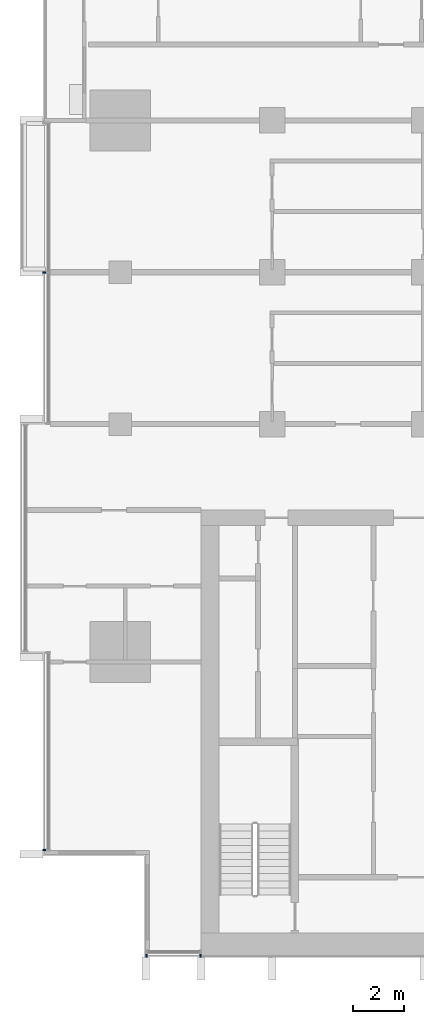
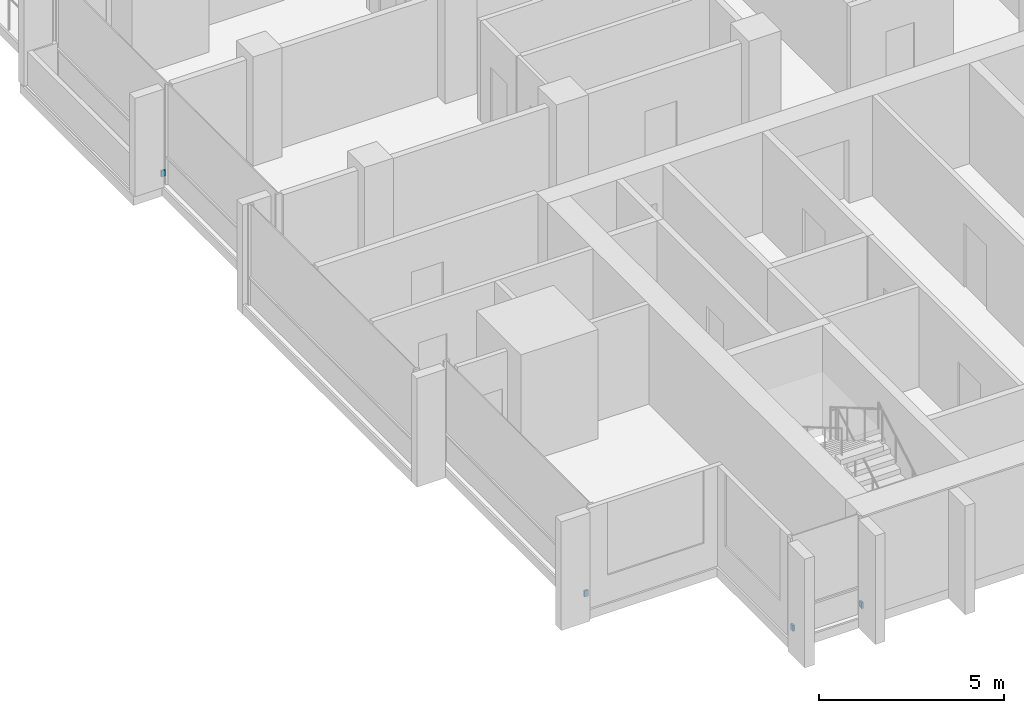
# One storey, part 13 of 17: 4 discrete accessories.
"""IFC4 building model written with IfcOpenShell, lengths in metres."""

from ifc_helpers import new_model, si_unit, direction, frame, origin, origin_2d, place, context, subcontext, project, spatial, rectangle, extrude, material, type_object, element, save


model = new_model("IFC4")

# Units and contexts
model_context = context("Model", 3, precision=1e-05, world=origin(), true_north=direction((0.0, 1.0)))
body_context = subcontext(model_context, "Body", "Model", "MODEL_VIEW")
ifc_project = project(units=[si_unit("LENGTHUNIT", "METRE"), si_unit("AREAUNIT", "SQUARE_METRE"), si_unit("VOLUMEUNIT", "CUBIC_METRE"), si_unit("PLANEANGLEUNIT", "RADIAN"), si_unit("MASSUNIT", "GRAM", prefix="KILO")], contexts=[model_context])

# Site, building, storey
site_placement = place(None, origin())
site = spatial("IfcSite", under=ifc_project, at=site_placement, CompositionType="ELEMENT")
building_placement = place(site_placement, origin())
building = spatial("IfcBuilding", under=site, at=building_placement, Name="Finial Court Residences", CompositionType="ELEMENT")
storey_placement = place(building_placement, frame((0.0, 0.0, 181.699951171875)))
storey = spatial("IfcBuildingStorey", under=building, at=storey_placement, Name="L45", CompositionType="ELEMENT", Elevation=181.699951171875)

# Discrete accessories
ifc_material = material(Name="Stainless steel 316", Category="steel")
discrete_accessory_type = type_object("IfcDiscreteAccessoryType", Name="Fin bracket, stainless steel 60 x 122 x 200", PredefinedType="BRACKET", material=ifc_material)
for number, where, z_axis, x_axis, name in (
    (1, (-15.469970703125, -25.498779296875, 0.30029296875), (0.0, 0.0, 1.0), (1.0, 0.0, 0.0), "E-L45-FIN-S14-BRK"),
    (2, (-13.330078125, -25.498779296875, 0.30029296875), (0.0, 0.0, 1.0), (1.0, 0.0, 0.0), "E-L45-FIN-S15-BRK"),
):
    element("IfcDiscreteAccessory", number, at=place(storey_placement, frame(where, z_axis=z_axis, x_axis=x_axis)), inside=storey, type_object=discrete_accessory_type, Name=name, PredefinedType="BRACKET", context=body_context, shape_type="SweptSolid", body=[
        extrude(rectangle(XDim=0.06005859375, YDim=0.12255859375, at=origin_2d()), origin(), (0.0, 0.0, 1.0), 0.199951171875),
    ])
for number, where, z_axis, x_axis, name in (
    (3, (-19.498779296875, -21.320068359375, 0.30029296875), (0.0, 0.0, 1.0), (1.0, 0.0, 0.0), "E-L45-FIN-W22-BRK"),
    (4, (-19.498779296875, 1.5, 0.30029296875), (0.0, 0.0, 1.0), (1.0, 0.0, 0.0), "E-L45-FIN-W25-BRK"),
):
    element("IfcDiscreteAccessory", number, at=place(storey_placement, frame(where, z_axis=z_axis, x_axis=x_axis)), inside=storey, type_object=discrete_accessory_type, Name=name, PredefinedType="BRACKET", context=body_context, shape_type="SweptSolid", body=[
        extrude(rectangle(XDim=0.12255859375, YDim=0.06005859375, at=origin_2d()), origin(), (0.0, 0.0, 1.0), 0.199951171875),
    ])

save(model, "model.ifc")
